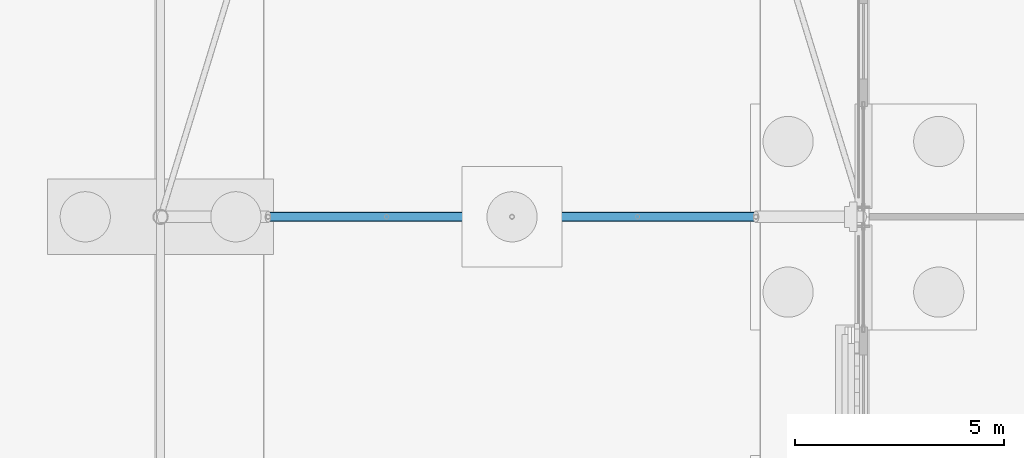
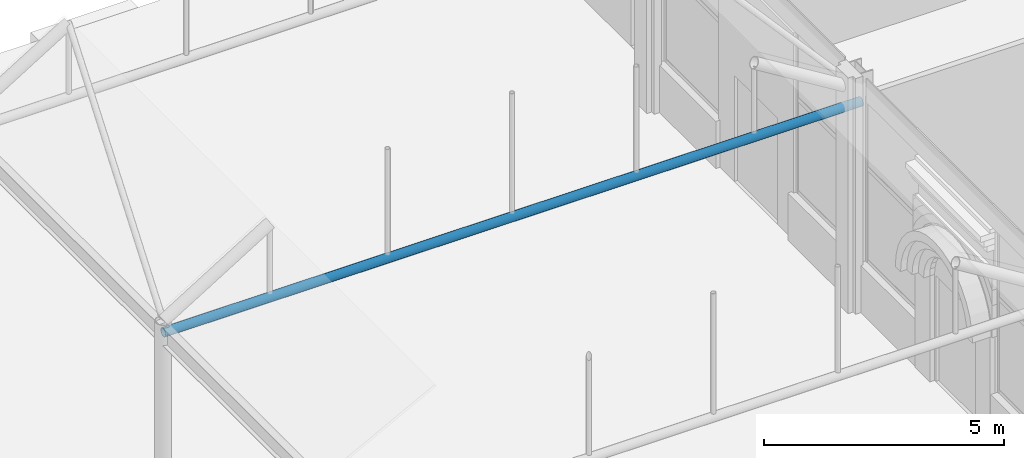
# One storey, part 159 of 212: 1 beam.
"""IFC4 building model written with IfcOpenShell, lengths in metres."""

from ifc_helpers import new_model, si_unit, direction, frame, origin, origin_2d, place, context, subcontext, project, spatial, hollow_circle, extrude, material, material_profile, profile_set, type_object, element, save


model = new_model("IFC4")

# Units and contexts
model_context = context("Model", 3, precision=1e-05, world=origin(), true_north=direction((0.0, 1.0)))
body_context = subcontext(model_context, "Body", "Model", "MODEL_VIEW")
ifc_project = project(units=[si_unit("LENGTHUNIT", "METRE"), si_unit("AREAUNIT", "SQUARE_METRE"), si_unit("VOLUMEUNIT", "CUBIC_METRE"), si_unit("PLANEANGLEUNIT", "RADIAN"), si_unit("MASSUNIT", "GRAM", prefix="KILO")], contexts=[model_context])

# Site, building, storey
site_placement = place(None, origin())
site = spatial("IfcSite", under=ifc_project, at=site_placement, CompositionType="ELEMENT")
building_placement = place(site_placement, origin())
building = spatial("IfcBuilding", under=site, at=building_placement, Name="Catenary Quay Ferry Terminal", CompositionType="ELEMENT")
storey_placement = place(building_placement, origin())
storey = spatial("IfcBuildingStorey", under=building, at=storey_placement, Name="L00", CompositionType="ELEMENT", Elevation=0.0)

# Beam
ifc_material = material(Name="Steel S355", Category="steel")
ifc_material_profile = material_profile(ifc_material, hollow_circle(Radius=0.109619140625, WallThickness=0.010009765625, at=origin_2d()), Name="CHS 219.1x10")
ifc_profile_set = profile_set([ifc_material_profile], Name="Steel S355")
beam_type = type_object("IfcBeamType", Name="TB2 CHS 219.1x10", PredefinedType="BEAM", material=ifc_profile_set)
beam_placement = place(storey_placement, frame((8.39990234375, 193.199951171875, 5.10009765625), z_axis=(1.0, 0.0, 0.0), x_axis=(0.0, 1.0, 0.0)))
element("IfcBeam", 1, at=beam_placement, inside=storey, type_object=beam_type, Name="tie beam FC-16", PredefinedType="BEAM", context=body_context, shape_type="SweptSolid", body=[
    extrude(hollow_circle(Radius=0.109619140625, WallThickness=0.010009765625, at=origin_2d()), origin(), (0.0, 0.0, 1.0), 16.800048828125),
])

save(model, "model.ifc")
